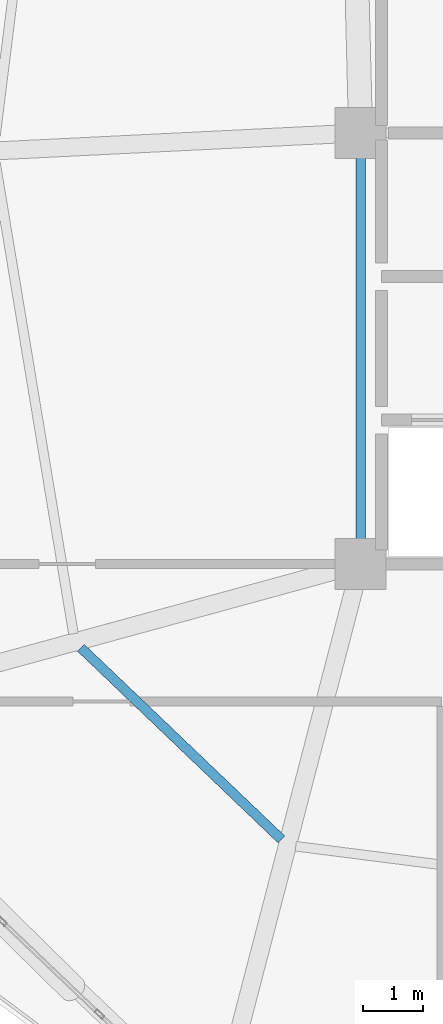
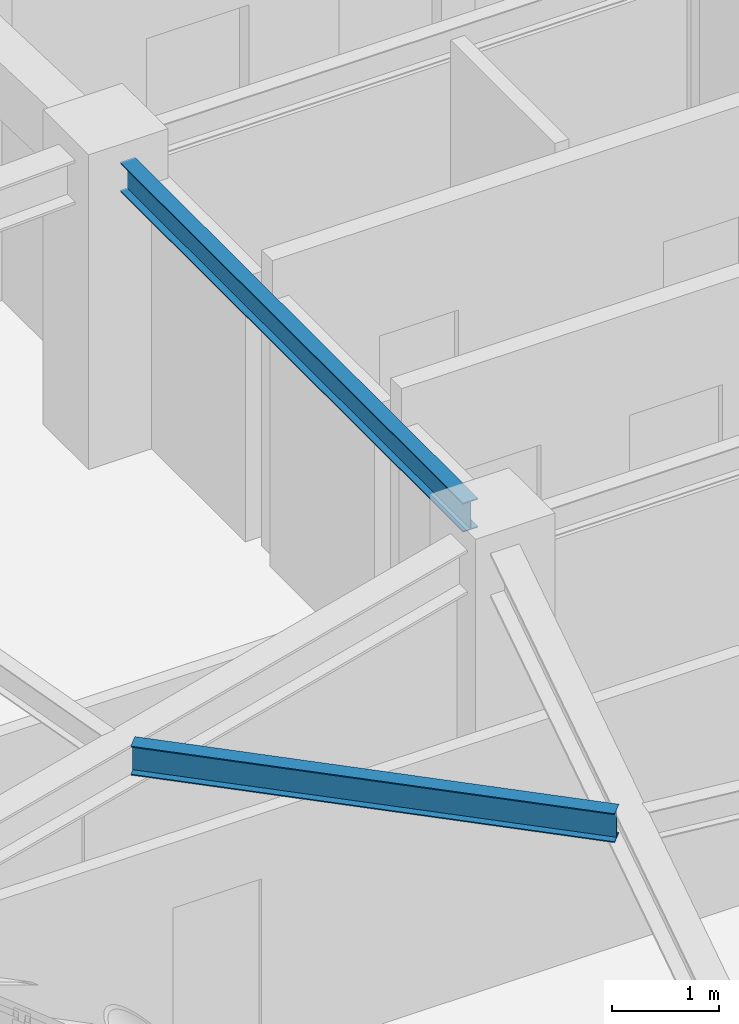
# One storey, part 6 of 28: 2 beams.
"""IFC4 building model written with IfcOpenShell, lengths in metres."""

from ifc_helpers import new_model, si_unit, direction, frame, origin, origin_2d, place, context, subcontext, project, spatial, i_section, extrude, material, material_profile, profile_set, type_object, element, save


model = new_model("IFC4")

# Units and contexts
model_context = context("Model", 3, precision=1e-05, world=origin(), true_north=direction((0.0, 1.0)))
body_context = subcontext(model_context, "Body", "Model", "MODEL_VIEW")
ifc_project = project(units=[si_unit("LENGTHUNIT", "METRE"), si_unit("AREAUNIT", "SQUARE_METRE"), si_unit("VOLUMEUNIT", "CUBIC_METRE"), si_unit("PLANEANGLEUNIT", "RADIAN"), si_unit("MASSUNIT", "GRAM", prefix="KILO")], contexts=[model_context])

# Site, building, storey
site_placement = place(None, origin())
site = spatial("IfcSite", under=ifc_project, at=site_placement, CompositionType="ELEMENT")
building_placement = place(site_placement, origin())
building = spatial("IfcBuilding", under=site, at=building_placement, Name="Varnakorn Sky Granary", CompositionType="ELEMENT")
storey_placement = place(building_placement, frame((0.0, 0.0, 196.800048828125)))
storey = spatial("IfcBuildingStorey", under=building, at=storey_placement, Name="L49", CompositionType="ELEMENT", Elevation=196.800048828125)

# Beams
ifc_material = material(Name="Steel S355JR", Category="steel")
ifc_material_profile = material_profile(ifc_material, i_section(OverallWidth=0.159912109375, OverallDepth=0.330078125, WebThickness=0.007568359375, FlangeThickness=0.011474609375, at=origin_2d()), Name="IPE 330")
ifc_profile_set = profile_set([ifc_material_profile], Name="Steel S355JR")
beam_type = type_object("IfcBeamType", Name="BM-SEC-Z4", PredefinedType="BEAM", material=ifc_profile_set)
beam_1_placement = place(storey_placement, frame((-7.023681640625, -8.003173828125, 3.195068359375), z_axis=(0.723043315413, -0.690802695447, 0.0), x_axis=(0.690802695447, 0.723043315413, 0.0)))
element("IfcBeam", 1, at=beam_1_placement, inside=storey, type_object=beam_type, Name="Secondary Floor Chord Beam MSB08 L49", PredefinedType="BEAM", context=body_context, shape_type="SweptSolid", body=[
    extrude(i_section(OverallWidth=0.159912109375, OverallDepth=0.330078125, WebThickness=0.007568359375, FlangeThickness=0.011474609375, at=origin_2d()), origin(), (0.0, 0.0, 1.0), 4.63427734375),
])
beam_2_placement = place(storey_placement, frame((-2.35009765625, 0.195068359375, 3.195068359375), z_axis=(0.0, -1.0, 0.0), x_axis=(1.0, 0.0, 0.0)))
element("IfcBeam", 2, at=beam_2_placement, inside=storey, type_object=beam_type, Name="Core Spine Framing Beam 3 L49", PredefinedType="BEAM", context=body_context, shape_type="SweptSolid", body=[
    extrude(i_section(OverallWidth=0.159912109375, OverallDepth=0.330078125, WebThickness=0.007568359375, FlangeThickness=0.011474609375, at=origin_2d()), origin(), (0.0, 0.0, 1.0), 6.39013671875),
])

save(model, "model.ifc")
